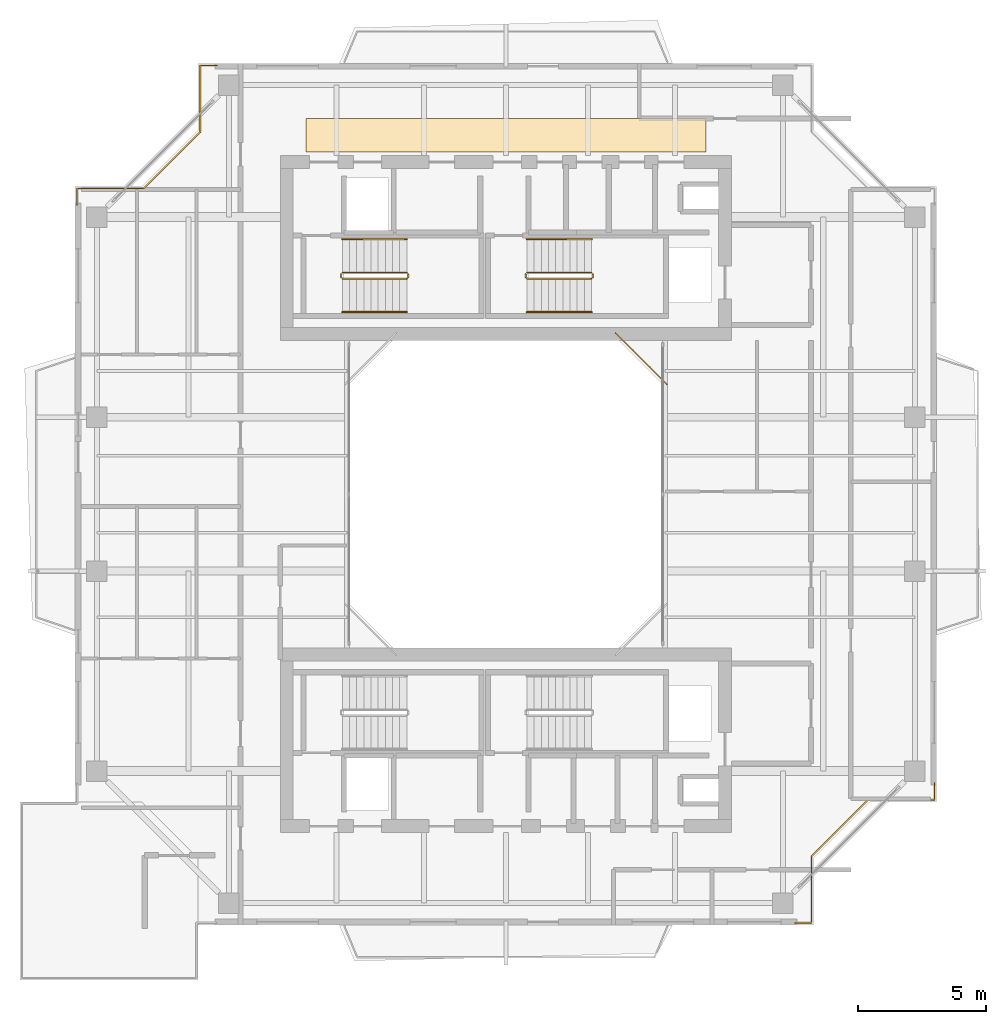
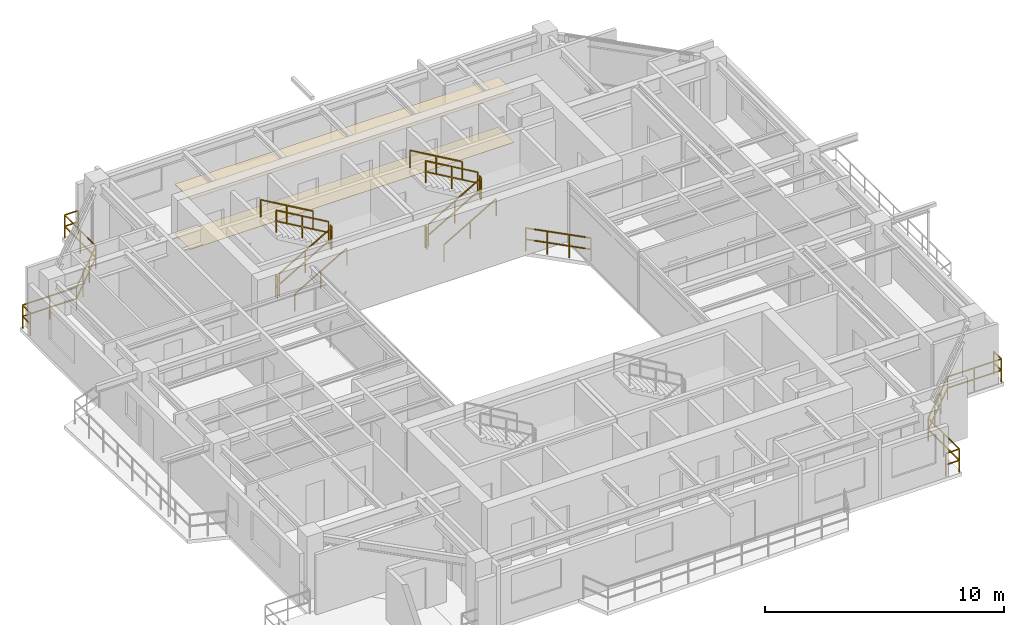
# One storey, part 14 of 15: 15 railings, 2 coverings.
"""IFC4 building model written with IfcOpenShell, lengths in metres."""

import ifcopenshell
import ifcopenshell.guid

model = None  # the IFC model being written
_history = None  # IfcOwnerHistory: only IFC2X3 demands one
_inside = {}  # id of a spatial element -> (the spatial element, [elements in it])
_under = {}  # id of a project, library or spatial element -> (it, [spatial elements below it])
_declared = {}  # id of a project -> (the project, [libraries it declares])
_typed = {}  # id of a type object -> (the type object, [elements of that type])
_made_of = {}  # id of a material, layer set ... -> (it, [elements and type objects made of it])


def new_model(schema):
    """Start an empty IFC model of exactly this schema.

    Asked for "IFC4X3", IfcOpenShell would pick the latest addendum, in which some entities
    have other attributes; the version numbers below select the first issue.
    IFC2X3 requires an IfcOwnerHistory on every rooted entity: one is made here for all.
    """
    global model, _history
    if schema == "IFC4X3":
        model = ifcopenshell.file(schema_version=(4, 3, 0, 0))
    else:
        model = ifcopenshell.file(schema=schema)
    _inside.clear()
    _under.clear()
    _declared.clear()
    _typed.clear()
    _made_of.clear()
    _history = None
    if model.schema == "IFC2X3":
        org = make("IfcOrganization", Name="unknown")
        user = make(
            "IfcPersonAndOrganization",
            ThePerson=make("IfcPerson", FamilyName="unknown"),
            TheOrganization=org,
        )
        app = make(
            "IfcApplication",
            ApplicationDeveloper=org,
            Version="unknown",
            ApplicationFullName="unknown",
            ApplicationIdentifier="unknown",
        )
        _history = make(
            "IfcOwnerHistory",
            OwningUser=user,
            OwningApplication=app,
            ChangeAction="ADDED",
            CreationDate=0,
        )
    return model


def make(cls, **values):
    """One entity of the class cls with the attributes given. An attribute that is None is left unset."""
    return model.create_entity(
        cls, **{name: value for name, value in values.items() if value is not None}
    )


def rooted(cls, **values):
    """An entity with a GlobalId (a new one), such as an element, a storey or a relation."""
    return make(cls, GlobalId=ifcopenshell.guid.new(), OwnerHistory=_history, **values)


def si_unit(unit_type, name, prefix=None):
    """IfcSIUnit, for example si_unit("LENGTHUNIT", "METRE", prefix="MILLI")."""
    return make("IfcSIUnit", UnitType=unit_type, Prefix=prefix, Name=name)


def assignment(units):
    """IfcUnitAssignment: the units of a project."""
    return None if units is None else make("IfcUnitAssignment", Units=units)


def point(xyz):
    """IfcCartesianPoint."""
    return None if xyz is None else make("IfcCartesianPoint", Coordinates=xyz)


def direction(xyz):
    """IfcDirection."""
    return None if xyz is None else make("IfcDirection", DirectionRatios=xyz)


def frame(location, z_axis=None, x_axis=None):
    """IfcAxis2Placement3D, a coordinate frame: its origin and axes. An axis left out is left unset."""
    return make(
        "IfcAxis2Placement3D",
        Location=point(location),
        Axis=direction(z_axis),
        RefDirection=direction(x_axis),
    )


def frame_2d(location, x_axis=None):
    """IfcAxis2Placement2D, a coordinate frame in the plane: its origin and x axis."""
    return make(
        "IfcAxis2Placement2D", Location=point(location), RefDirection=direction(x_axis)
    )


def origin():
    """The frame at (0, 0, 0) with its axes left unset."""
    return frame((0.0, 0.0, 0.0))


def origin_2d():
    """The frame at (0, 0) in the plane with its x axis left unset."""
    return frame_2d((0.0, 0.0))


def place(relative_to, where):
    """IfcLocalPlacement: puts the frame where relative to a parent placement (None: the world)."""
    return make(
        "IfcLocalPlacement", PlacementRelTo=relative_to, RelativePlacement=where
    )


def context(
    kind, dimensions, precision=None, world=None, true_north=None, identifier=None
):
    """IfcGeometricRepresentationContext, for example the 3D "Model" context."""
    return make(
        "IfcGeometricRepresentationContext",
        ContextIdentifier=identifier,
        ContextType=kind,
        CoordinateSpaceDimension=dimensions,
        Precision=precision,
        WorldCoordinateSystem=world,
        TrueNorth=true_north,
    )


def subcontext(parent, identifier, kind, view, scale=None):
    """IfcGeometricRepresentationSubContext, for example "Body" below "Model"."""
    return make(
        "IfcGeometricRepresentationSubContext",
        ContextIdentifier=identifier,
        ContextType=kind,
        ParentContext=parent,
        TargetScale=scale,
        TargetView=view,
    )


def project(units=None, contexts=None):
    """IfcProject with its units and contexts."""
    return rooted(
        "IfcProject",
        Name="project",
        RepresentationContexts=contexts,
        UnitsInContext=assignment(units),
    )


def spatial(cls, under=None, at=None, **own):
    """A site, building, storey or space (cls), placed at a placement, below another one or the project."""
    s = rooted(cls, ObjectPlacement=at, **own)
    if under is not None:
        _under.setdefault(under.id(), (under, []))[1].append(s)
    return s


def polyline(points):
    """IfcPolyline through the points."""
    return make("IfcPolyline", Points=[point(p) for p in points])


def profile(cls, at=None, kind="AREA", **sizes):
    """A parametric profile (cls). Its sizes go by their IFC names, for example OverallWidth=200.0."""
    return make(cls, ProfileType=kind, Position=at, **sizes)


def rectangle(**sizes):
    """IfcRectangleProfileDef."""
    return profile("IfcRectangleProfileDef", **sizes)


def outline(outer, holes=None, kind="AREA"):
    """IfcArbitraryClosedProfileDef: a profile drawn as a closed curve; with holes, ...WithVoids."""
    if holes is None:
        return make("IfcArbitraryClosedProfileDef", ProfileType=kind, OuterCurve=outer)
    return make(
        "IfcArbitraryProfileDefWithVoids",
        ProfileType=kind,
        OuterCurve=outer,
        InnerCurves=holes,
    )


def extrude(swept, where, along, depth):
    """IfcExtrudedAreaSolid: the profile swept, set in the frame where, extruded along a direction by depth."""
    return make(
        "IfcExtrudedAreaSolid",
        SweptArea=swept,
        Position=where,
        ExtrudedDirection=direction(along),
        Depth=depth,
    )


def shape(context_of_items, identifier, shape_type, items):
    """IfcShapeRepresentation: the items that make up one representation, for example the "Body"."""
    return make(
        "IfcShapeRepresentation",
        ContextOfItems=context_of_items,
        RepresentationIdentifier=identifier,
        RepresentationType=shape_type,
        Items=items,
    )


def material(Name=None, Category=None):
    """IfcMaterial."""
    return make("IfcMaterial", Name=Name, Category=Category)


def layer(
    of_material, thickness, ventilated=None, Name=None, Category=None, Priority=None
):
    """IfcMaterialLayer: one layer of a wall or slab, of a material (None: an air gap)."""
    return make(
        "IfcMaterialLayer",
        Material=of_material,
        LayerThickness=thickness,
        IsVentilated=ventilated,
        Name=Name,
        Category=Category,
        Priority=Priority,
    )


def layer_set(layers, Name=None):
    """IfcMaterialLayerSet."""
    return make("IfcMaterialLayerSet", MaterialLayers=layers, LayerSetName=Name)


def made_of(thing, what):
    """Note that an element or type object is made of a material, layer set ...; save() writes the relation."""
    if what is not None:
        _made_of.setdefault(what.id(), (what, []))[1].append(thing)
    return thing


def type_object(cls, material=None, **own):
    """A type object (cls), such as IfcWallType, which elements share."""
    return made_of(rooted(cls, **own), material)


def element(
    cls,
    number,
    at=None,
    inside=None,
    cuts=None,
    type_object=None,
    material=None,
    context=None,
    identifier="Body",
    shape_type=None,
    held_by="IfcProductDefinitionShape",
    body=None,
    shapes=None,
    **own,
):
    """One element of the class cls, such as IfcWall. Its Tag is "e" and its number.

    at: its placement. inside: the storey or other place that contains it. cuts: it is an
    opening in that element (IfcRelVoidsElement). A single representation is given by context,
    identifier, shape_type and body (its items); several are given by shapes. held_by: the class
    of the entity that holds the representations. save() writes the other relations.
    """
    e = rooted(cls, Tag="e%d" % number, ObjectPlacement=at, **own)
    if body is not None:
        shapes = [shape(context, identifier, shape_type, body)]
    if shapes is not None:
        e.Representation = make(held_by, Representations=shapes)
    if inside is not None:
        _inside.setdefault(inside.id(), (inside, []))[1].append(e)
    if cuts is not None:
        rooted(
            "IfcRelVoidsElement", RelatingBuildingElement=cuts, RelatedOpeningElement=e
        )
    if type_object is not None:
        _typed.setdefault(type_object.id(), (type_object, []))[1].append(e)
    return made_of(e, material)


def aggregate(whole, parts):
    """IfcRelAggregates: a whole, such as a stair, and the parts it consists of."""
    return rooted("IfcRelAggregates", RelatingObject=whole, RelatedObjects=parts)


def save(model, path):
    """Write the relations noted so far, then the file.

    IfcRelAggregates (storeys below a building ...), IfcRelContainedInSpatialStructure (elements
    in a storey), IfcRelDefinesByType, IfcRelAssociatesMaterial and IfcRelDeclares: one each for
    every whole, place, type object, material and project.
    """
    for whole, parts in _under.values():
        aggregate(whole, parts)
    for where, things in _inside.values():
        rooted(
            "IfcRelContainedInSpatialStructure",
            RelatedElements=things,
            RelatingStructure=where,
        )
    for kind, things in _typed.values():
        rooted("IfcRelDefinesByType", RelatedObjects=things, RelatingType=kind)
    for what, things in _made_of.values():
        rooted("IfcRelAssociatesMaterial", RelatedObjects=things, RelatingMaterial=what)
    for by, libraries in _declared.values():
        rooted("IfcRelDeclares", RelatingContext=by, RelatedDefinitions=libraries)
    model.write(path)


model = new_model("IFC4")

# Units and contexts
model_context = context("Model", 3, precision=1e-05, world=origin(), true_north=direction((0.0, 1.0)))
body_context = subcontext(model_context, "Body", "Model", "MODEL_VIEW")
ifc_project = project(units=[si_unit("LENGTHUNIT", "METRE"), si_unit("AREAUNIT", "SQUARE_METRE"), si_unit("VOLUMEUNIT", "CUBIC_METRE"), si_unit("PLANEANGLEUNIT", "RADIAN"), si_unit("MASSUNIT", "GRAM", prefix="KILO"), si_unit("THERMODYNAMICTEMPERATUREUNIT", "KELVIN"), si_unit("POWERUNIT", "WATT")], contexts=[model_context])

# Site, building, storey
site_placement = place(None, origin())
site = spatial("IfcSite", under=ifc_project, at=site_placement, CompositionType="ELEMENT")
building_placement = place(site_placement, origin())
building = spatial("IfcBuilding", under=site, at=building_placement, Name="Qiaomeng Ring Towers", CompositionType="ELEMENT")
storey_placement = place(building_placement, frame((0.0, 0.0, 193.75)))
storey = spatial("IfcBuildingStorey", under=building, at=storey_placement, Name="L56", CompositionType="ELEMENT", Elevation=193.75)

# Coverings
ifc_material_1 = material(Name="Mineral fibre acoustic ceiling tile", Category="gypsum")
ifc_layer_1 = layer(ifc_material_1, 0.02490234375, Name="Mineral fibre acoustic ceiling tile")
ifc_layer_set_1 = layer_set([ifc_layer_1], Name="Mineral fibre acoustic ceiling tile")
covering_type_1 = type_object("IfcCoveringType", Name="ARC-COV-CEIL1", PredefinedType="CEILING", material=ifc_layer_set_1)
covering_1_placement = place(storey_placement, frame((0.0, 0.0, 2.550048828125)))
element("IfcCovering", 1, at=covering_1_placement, inside=storey, type_object=covering_type_1, Name="L56 Corridor Acoustic Ceiling", PredefinedType="CEILING", context=body_context, shape_type="SweptSolid", body=[
    extrude(outline(polyline([(11.199951171875, 36.35009765625), (11.199951171875, 37.64990234375), (26.800048828125, 37.64990234375), (26.800048828125, 36.35009765625), (11.199951171875, 36.35009765625)])), origin(), (0.0, 0.0, 1.0), 0.02490234375),
])
ifc_material_2 = material(Name="Vitrified porcelain floor tile", Category="ceramic")
ifc_layer_2 = layer(ifc_material_2, 0.02001953125, Name="Vitrified porcelain floor tile")
ifc_layer_set_2 = layer_set([ifc_layer_2], Name="Vitrified porcelain floor tile")
covering_type_2 = type_object("IfcCoveringType", Name="ARC-COV-FLR1", PredefinedType="FLOORING", material=ifc_layer_set_2)
covering_2_placement = place(storey_placement, origin())
element("IfcCovering", 2, at=covering_2_placement, inside=storey, type_object=covering_type_2, Name="L56 Corridor Stone Flooring", PredefinedType="FLOORING", context=body_context, shape_type="SweptSolid", body=[
    extrude(outline(polyline([(11.199951171875, 36.35009765625), (11.199951171875, 37.64990234375), (26.800048828125, 37.64990234375), (26.800048828125, 36.35009765625), (11.199951171875, 36.35009765625)])), origin(), (0.0, 0.0, 1.0), 0.02001953125),
])

# Railings
ifc_material_3 = material(Name="Low-E pale-green laminated safety glass", Category="glass")
railing_type_1 = type_object("IfcRailingType", Name="ARC-RL-BAL1", PredefinedType="BALUSTRADE", material=ifc_material_3)
railing_1_placement = place(storey_placement, frame((25.280029296875, 27.280029296875, 0.0)))
element("IfcRailing", 3, at=railing_1_placement, inside=storey, type_object=railing_type_1, Name="L56 Balustrade ARC-BAL-WELL1-L56-2", PredefinedType="BALUSTRADE", context=body_context, shape_type="SweptSolid", body=[
    extrude(rectangle(XDim=0.048095703125, YDim=0.048095703125, at=origin_2d()), frame((0.0, 0.0, 1.17578125), z_axis=(-0.707106781187, 0.707106781187, 0.0), x_axis=(-0.707106781187, -0.707106781187, 0.0)), (0.0, 0.0, 1.0), 2.828369140625),
    extrude(rectangle(XDim=0.048095703125, YDim=0.048095703125, at=origin_2d()), frame((0.0, 0.0, 0.60009765625), z_axis=(-0.707106781187, 0.707106781187, 0.0), x_axis=(-0.707106781187, -0.707106781187, 0.0)), (0.0, 0.0, 1.0), 2.828369140625),
    extrude(rectangle(XDim=0.0419921875, YDim=0.0419921875, at=origin_2d()), origin(), (0.0, 0.0, 1.0), 1.15185546875),
    extrude(rectangle(XDim=0.0419921875, YDim=0.0419921875, at=origin_2d()), frame((-0.666748046875, 0.666748046875, 0.0)), (0.0, 0.0, 1.0), 1.15185546875),
    extrude(rectangle(XDim=0.0419921875, YDim=0.0419921875, at=origin_2d()), frame((-1.333251953125, 1.333251953125, 0.0)), (0.0, 0.0, 1.0), 1.15185546875),
    extrude(rectangle(XDim=0.0419921875, YDim=0.0419921875, at=origin_2d()), frame((-2.0, 2.0, 0.0)), (0.0, 0.0, 1.0), 1.15185546875),
])
railing_2_placement = place(storey_placement, frame((30.27001953125, 6.280029296875, 0.0)))
element("IfcRailing", 4, at=railing_2_placement, inside=storey, type_object=railing_type_1, Name="L56 Balustrade ARC-BAL-NOTCH1-L56-SE", PredefinedType="BALUSTRADE", context=body_context, shape_type="SweptSolid", body=[
    extrude(rectangle(XDim=0.048095703125, YDim=0.048095703125, at=origin_2d()), frame((0.0, 0.0, 1.17578125), z_axis=(1.0, 0.0, 0.0), x_axis=(0.0, 1.0, 0.0)), (0.0, 0.0, 1.0), 0.64990234375),
    extrude(rectangle(XDim=0.048095703125, YDim=0.048095703125, at=origin_2d()), frame((0.0, 0.0, 0.60009765625), z_axis=(1.0, 0.0, 0.0), x_axis=(0.0, 1.0, 0.0)), (0.0, 0.0, 1.0), 0.64990234375),
    extrude(rectangle(XDim=0.048095703125, YDim=0.048095703125, at=origin_2d()), frame((0.64990234375, 0.0, 1.17578125), z_axis=(0.0, 1.0, 0.0), x_axis=(-1.0, 0.0, 0.0)), (0.0, 0.0, 1.0), 2.599853515625),
    extrude(rectangle(XDim=0.048095703125, YDim=0.048095703125, at=origin_2d()), frame((0.64990234375, 0.0, 0.60009765625), z_axis=(0.0, 1.0, 0.0), x_axis=(-1.0, 0.0, 0.0)), (0.0, 0.0, 1.0), 2.599853515625),
    extrude(rectangle(XDim=0.048095703125, YDim=0.048095703125, at=origin_2d()), frame((0.64990234375, 2.599853515625, 1.17578125), z_axis=(0.707106781187, 0.707106781187, 0.0), x_axis=(-0.707106781187, 0.707106781187, 0.0)), (0.0, 0.0, 1.0), 3.111572265625),
    extrude(rectangle(XDim=0.048095703125, YDim=0.048095703125, at=origin_2d()), frame((0.64990234375, 2.599853515625, 0.60009765625), z_axis=(0.707106781187, 0.707106781187, 0.0), x_axis=(-0.707106781187, 0.707106781187, 0.0)), (0.0, 0.0, 1.0), 3.111572265625),
    extrude(rectangle(XDim=0.048095703125, YDim=0.048095703125, at=origin_2d()), frame((2.85009765625, 4.800048828125, 1.17578125), z_axis=(1.0, 0.0, 0.0), x_axis=(0.0, 1.0, 0.0)), (0.0, 0.0, 1.0), 2.599853515625),
    extrude(rectangle(XDim=0.048095703125, YDim=0.048095703125, at=origin_2d()), frame((2.85009765625, 4.800048828125, 0.60009765625), z_axis=(1.0, 0.0, 0.0), x_axis=(0.0, 1.0, 0.0)), (0.0, 0.0, 1.0), 2.599853515625),
    extrude(rectangle(XDim=0.048095703125, YDim=0.048095703125, at=origin_2d()), frame((5.449951171875, 4.800048828125, 1.17578125), z_axis=(0.0, 1.0, 0.0), x_axis=(-1.0, 0.0, 0.0)), (0.0, 0.0, 1.0), 0.64990234375),
    extrude(rectangle(XDim=0.048095703125, YDim=0.048095703125, at=origin_2d()), frame((5.449951171875, 4.800048828125, 0.60009765625), z_axis=(0.0, 1.0, 0.0), x_axis=(-1.0, 0.0, 0.0)), (0.0, 0.0, 1.0), 0.64990234375),
    extrude(rectangle(XDim=0.0419921875, YDim=0.0419921875, at=origin_2d()), origin(), (0.0, 0.0, 1.0), 1.15185546875),
    extrude(rectangle(XDim=0.0419921875, YDim=0.0419921875, at=origin_2d()), frame((0.64990234375, 0.0, 0.0)), (0.0, 0.0, 1.0), 1.15185546875),
    extrude(rectangle(XDim=0.0419921875, YDim=0.0419921875, at=origin_2d()), frame((0.64990234375, 1.2998046875, 0.0)), (0.0, 0.0, 1.0), 1.15185546875),
    extrude(rectangle(XDim=0.0419921875, YDim=0.0419921875, at=origin_2d()), frame((0.64990234375, 2.599853515625, 0.0)), (0.0, 0.0, 1.0), 1.15185546875),
    extrude(rectangle(XDim=0.0419921875, YDim=0.0419921875, at=origin_2d()), frame((1.38330078125, 3.333251953125, 0.0)), (0.0, 0.0, 1.0), 1.15185546875),
    extrude(rectangle(XDim=0.0419921875, YDim=0.0419921875, at=origin_2d()), frame((2.11669921875, 4.066650390625, 0.0)), (0.0, 0.0, 1.0), 1.15185546875),
    extrude(rectangle(XDim=0.0419921875, YDim=0.0419921875, at=origin_2d()), frame((2.85009765625, 4.800048828125, 0.0)), (0.0, 0.0, 1.0), 1.15185546875),
    extrude(rectangle(XDim=0.0419921875, YDim=0.0419921875, at=origin_2d()), frame((4.14990234375, 4.800048828125, 0.0)), (0.0, 0.0, 1.0), 1.15185546875),
    extrude(rectangle(XDim=0.0419921875, YDim=0.0419921875, at=origin_2d()), frame((5.449951171875, 4.800048828125, 0.0)), (0.0, 0.0, 1.0), 1.15185546875),
    extrude(rectangle(XDim=0.0419921875, YDim=0.0419921875, at=origin_2d()), frame((5.449951171875, 5.449951171875, 0.0)), (0.0, 0.0, 1.0), 1.15185546875),
])
railing_3_placement = place(storey_placement, frame((7.72998046875, 39.719970703125, 0.0)))
element("IfcRailing", 5, at=railing_3_placement, inside=storey, type_object=railing_type_1, Name="L56 Balustrade ARC-BAL-NOTCH1-L56-NW", PredefinedType="BALUSTRADE", context=body_context, shape_type="SweptSolid", body=[
    extrude(rectangle(XDim=0.048095703125, YDim=0.048095703125, at=origin_2d()), frame((0.0, 0.0, 1.17578125), z_axis=(-1.0, 0.0, 0.0), x_axis=(0.0, -1.0, 0.0)), (0.0, 0.0, 1.0), 0.64990234375),
    extrude(rectangle(XDim=0.048095703125, YDim=0.048095703125, at=origin_2d()), frame((0.0, 0.0, 0.60009765625), z_axis=(-1.0, 0.0, 0.0), x_axis=(0.0, -1.0, 0.0)), (0.0, 0.0, 1.0), 0.64990234375),
    extrude(rectangle(XDim=0.048095703125, YDim=0.048095703125, at=origin_2d()), frame((-0.64990234375, 0.0, 1.17578125), z_axis=(0.0, -1.0, 0.0), x_axis=(1.0, 0.0, 0.0)), (0.0, 0.0, 1.0), 2.599853515625),
    extrude(rectangle(XDim=0.048095703125, YDim=0.048095703125, at=origin_2d()), frame((-0.64990234375, 0.0, 0.60009765625), z_axis=(0.0, -1.0, 0.0), x_axis=(1.0, 0.0, 0.0)), (0.0, 0.0, 1.0), 2.599853515625),
    extrude(rectangle(XDim=0.048095703125, YDim=0.048095703125, at=origin_2d()), frame((-0.64990234375, -2.599853515625, 1.17578125), z_axis=(-0.707106781187, -0.707106781187, 0.0), x_axis=(0.707106781187, -0.707106781187, 0.0)), (0.0, 0.0, 1.0), 3.111572265625),
    extrude(rectangle(XDim=0.048095703125, YDim=0.048095703125, at=origin_2d()), frame((-0.64990234375, -2.599853515625, 0.60009765625), z_axis=(-0.707106781187, -0.707106781187, 0.0), x_axis=(0.707106781187, -0.707106781187, 0.0)), (0.0, 0.0, 1.0), 3.111572265625),
    extrude(rectangle(XDim=0.048095703125, YDim=0.048095703125, at=origin_2d()), frame((-2.85009765625, -4.800048828125, 1.17578125), z_axis=(-1.0, 0.0, 0.0), x_axis=(0.0, -1.0, 0.0)), (0.0, 0.0, 1.0), 2.599853515625),
    extrude(rectangle(XDim=0.048095703125, YDim=0.048095703125, at=origin_2d()), frame((-2.85009765625, -4.800048828125, 0.60009765625), z_axis=(-1.0, 0.0, 0.0), x_axis=(0.0, -1.0, 0.0)), (0.0, 0.0, 1.0), 2.599853515625),
    extrude(rectangle(XDim=0.048095703125, YDim=0.048095703125, at=origin_2d()), frame((-5.449951171875, -4.800048828125, 1.17578125), z_axis=(0.0, -1.0, 0.0), x_axis=(1.0, 0.0, 0.0)), (0.0, 0.0, 1.0), 0.64990234375),
    extrude(rectangle(XDim=0.048095703125, YDim=0.048095703125, at=origin_2d()), frame((-5.449951171875, -4.800048828125, 0.60009765625), z_axis=(0.0, -1.0, 0.0), x_axis=(1.0, 0.0, 0.0)), (0.0, 0.0, 1.0), 0.64990234375),
    extrude(rectangle(XDim=0.0419921875, YDim=0.0419921875, at=origin_2d()), origin(), (0.0, 0.0, 1.0), 1.15185546875),
    extrude(rectangle(XDim=0.0419921875, YDim=0.0419921875, at=origin_2d()), frame((-0.64990234375, 0.0, 0.0)), (0.0, 0.0, 1.0), 1.15185546875),
    extrude(rectangle(XDim=0.0419921875, YDim=0.0419921875, at=origin_2d()), frame((-0.64990234375, -1.2998046875, 0.0)), (0.0, 0.0, 1.0), 1.15185546875),
    extrude(rectangle(XDim=0.0419921875, YDim=0.0419921875, at=origin_2d()), frame((-0.64990234375, -2.599853515625, 0.0)), (0.0, 0.0, 1.0), 1.15185546875),
    extrude(rectangle(XDim=0.0419921875, YDim=0.0419921875, at=origin_2d()), frame((-1.38330078125, -3.333251953125, 0.0)), (0.0, 0.0, 1.0), 1.15185546875),
    extrude(rectangle(XDim=0.0419921875, YDim=0.0419921875, at=origin_2d()), frame((-2.11669921875, -4.066650390625, 0.0)), (0.0, 0.0, 1.0), 1.15185546875),
    extrude(rectangle(XDim=0.0419921875, YDim=0.0419921875, at=origin_2d()), frame((-2.85009765625, -4.800048828125, 0.0)), (0.0, 0.0, 1.0), 1.15185546875),
    extrude(rectangle(XDim=0.0419921875, YDim=0.0419921875, at=origin_2d()), frame((-4.14990234375, -4.800048828125, 0.0)), (0.0, 0.0, 1.0), 1.15185546875),
    extrude(rectangle(XDim=0.0419921875, YDim=0.0419921875, at=origin_2d()), frame((-5.449951171875, -4.800048828125, 0.0)), (0.0, 0.0, 1.0), 1.15185546875),
    extrude(rectangle(XDim=0.0419921875, YDim=0.0419921875, at=origin_2d()), frame((-5.449951171875, -5.449951171875, 0.0)), (0.0, 0.0, 1.0), 1.15185546875),
])
ifc_material_4 = material(Name="Galvanised steel", Category="steel")
railing_type_2 = type_object("IfcRailingType", Name="ARC-RL-GUARD", PredefinedType="GUARDRAIL", material=ifc_material_4)
railing_4_placement = place(storey_placement, frame((12.6201171875, 31.39990234375, 0.16259765625)))
element("IfcRailing", 6, at=railing_4_placement, inside=storey, type_object=railing_type_2, Name="L56 ST1 stair guard 1", PredefinedType="GUARDRAIL", context=body_context, shape_type="SweptSolid", body=[
    extrude(rectangle(XDim=0.048095703125, YDim=0.048095703125, at=origin_2d()), frame((0.0, 0.0, 1.1259765625), z_axis=(0.864892226395, 0.0, 0.501957604506), x_axis=(0.0, 1.0, 0.0)), (0.0, 0.0, 1.0), 2.913330078125),
    extrude(rectangle(XDim=0.048095703125, YDim=0.048095703125, at=origin_2d()), frame((0.0, 0.0, 0.574951171875), z_axis=(0.864892226395, 0.0, 0.501957604506), x_axis=(0.0, 1.0, 0.0)), (0.0, 0.0, 1.0), 2.913330078125),
    extrude(rectangle(XDim=0.0419921875, YDim=0.0419921875, at=origin_2d()), origin(), (0.0, 0.0, 1.0), 1.101806640625),
    extrude(rectangle(XDim=0.0419921875, YDim=0.0419921875, at=origin_2d()), frame((1.259765625, 0.0, 0.731201171875)), (0.0, 0.0, 1.0), 1.101806640625),
    extrude(rectangle(XDim=0.0419921875, YDim=0.0419921875, at=origin_2d()), frame((2.519775390625, 0.0, 1.46240234375)), (0.0, 0.0, 1.0), 1.101806640625),
])
railing_5_placement = place(storey_placement, frame((15.18994140625, 31.449951171875, 1.625)))
element("IfcRailing", 7, at=railing_5_placement, inside=storey, type_object=railing_type_2, Name="L56 ST1 stair guard 2", PredefinedType="GUARDRAIL", context=body_context, shape_type="SweptSolid", body=[
    extrude(rectangle(XDim=0.048095703125, YDim=0.048095703125, at=origin_2d()), frame((0.0, 0.0, 1.1259765625), z_axis=(0.0, 1.0, 0.0), x_axis=(-1.0, 0.0, 0.0)), (0.0, 0.0, 1.0), 0.14013671875),
    extrude(rectangle(XDim=0.048095703125, YDim=0.048095703125, at=origin_2d()), frame((0.0, 0.0, 0.574951171875), z_axis=(0.0, 1.0, 0.0), x_axis=(-1.0, 0.0, 0.0)), (0.0, 0.0, 1.0), 0.14013671875),
    extrude(rectangle(XDim=0.0419921875, YDim=0.0419921875, at=origin_2d()), origin(), (0.0, 0.0, 1.0), 1.101806640625),
    extrude(rectangle(XDim=0.0419921875, YDim=0.0419921875, at=origin_2d()), frame((0.0, 0.14013671875, 0.0)), (0.0, 0.0, 1.0), 1.101806640625),
])
railing_6_placement = place(storey_placement, frame((15.139892578125, 31.639892578125, 1.78759765625)))
element("IfcRailing", 8, at=railing_6_placement, inside=storey, type_object=railing_type_2, Name="L56 ST1 stair guard 3", PredefinedType="GUARDRAIL", context=body_context, shape_type="SweptSolid", body=[
    extrude(rectangle(XDim=0.048095703125, YDim=0.048095703125, at=origin_2d()), frame((0.0, 0.0, 1.1259765625), z_axis=(-0.864892226395, 0.0, 0.501957604506), x_axis=(0.0, -1.0, 0.0)), (0.0, 0.0, 1.0), 2.913330078125),
    extrude(rectangle(XDim=0.048095703125, YDim=0.048095703125, at=origin_2d()), frame((0.0, 0.0, 0.574951171875), z_axis=(-0.864892226395, 0.0, 0.501957604506), x_axis=(0.0, -1.0, 0.0)), (0.0, 0.0, 1.0), 2.913330078125),
    extrude(rectangle(XDim=0.0419921875, YDim=0.0419921875, at=origin_2d()), origin(), (0.0, 0.0, 1.0), 1.101806640625),
    extrude(rectangle(XDim=0.0419921875, YDim=0.0419921875, at=origin_2d()), frame((-1.259765625, 0.0, 0.731201171875)), (0.0, 0.0, 1.0), 1.101806640625),
    extrude(rectangle(XDim=0.0419921875, YDim=0.0419921875, at=origin_2d()), frame((-2.519775390625, 0.0, 1.46240234375)), (0.0, 0.0, 1.0), 1.101806640625),
])
railing_7_placement = place(storey_placement, frame((12.570068359375, 31.449951171875, 0.0)))
element("IfcRailing", 9, at=railing_7_placement, inside=storey, type_object=railing_type_2, Name="L56 ST1 stair guard 4", PredefinedType="GUARDRAIL", context=body_context, shape_type="SweptSolid", body=[
    extrude(rectangle(XDim=0.048095703125, YDim=0.048095703125, at=origin_2d()), frame((0.0, 0.0, 1.1259765625), z_axis=(0.0, 1.0, 0.0), x_axis=(-1.0, 0.0, 0.0)), (0.0, 0.0, 1.0), 0.14013671875),
    extrude(rectangle(XDim=0.048095703125, YDim=0.048095703125, at=origin_2d()), frame((0.0, 0.0, 0.574951171875), z_axis=(0.0, 1.0, 0.0), x_axis=(-1.0, 0.0, 0.0)), (0.0, 0.0, 1.0), 0.14013671875),
    extrude(rectangle(XDim=0.0419921875, YDim=0.0419921875, at=origin_2d()), origin(), (0.0, 0.0, 1.0), 1.101806640625),
    extrude(rectangle(XDim=0.0419921875, YDim=0.0419921875, at=origin_2d()), frame((0.0, 0.14013671875, 0.0)), (0.0, 0.0, 1.0), 1.101806640625),
])
railing_8_placement = place(storey_placement, frame((19.820068359375, 31.39990234375, 0.16259765625)))
element("IfcRailing", 10, at=railing_8_placement, inside=storey, type_object=railing_type_2, Name="L56 ST2 stair guard 1", PredefinedType="GUARDRAIL", context=body_context, shape_type="SweptSolid", body=[
    extrude(rectangle(XDim=0.048095703125, YDim=0.048095703125, at=origin_2d()), frame((0.0, 0.0, 1.1259765625), z_axis=(0.864913338283, 0.0, 0.50192122615), x_axis=(0.0, 1.0, 0.0)), (0.0, 0.0, 1.0), 2.91357421875),
    extrude(rectangle(XDim=0.048095703125, YDim=0.048095703125, at=origin_2d()), frame((0.0, 0.0, 0.574951171875), z_axis=(0.864913338283, 0.0, 0.50192122615), x_axis=(0.0, 1.0, 0.0)), (0.0, 0.0, 1.0), 2.91357421875),
    extrude(rectangle(XDim=0.0419921875, YDim=0.0419921875, at=origin_2d()), origin(), (0.0, 0.0, 1.0), 1.101806640625),
    extrude(rectangle(XDim=0.0419921875, YDim=0.0419921875, at=origin_2d()), frame((1.260009765625, 0.0, 0.731201171875)), (0.0, 0.0, 1.0), 1.101806640625),
    extrude(rectangle(XDim=0.0419921875, YDim=0.0419921875, at=origin_2d()), frame((2.52001953125, 0.0, 1.46240234375)), (0.0, 0.0, 1.0), 1.101806640625),
])
railing_9_placement = place(storey_placement, frame((22.389892578125, 31.449951171875, 1.625)))
element("IfcRailing", 11, at=railing_9_placement, inside=storey, type_object=railing_type_2, Name="L56 ST2 stair guard 2", PredefinedType="GUARDRAIL", context=body_context, shape_type="SweptSolid", body=[
    extrude(rectangle(XDim=0.048095703125, YDim=0.048095703125, at=origin_2d()), frame((0.0, 0.0, 1.1259765625), z_axis=(0.0, 1.0, 0.0), x_axis=(-1.0, 0.0, 0.0)), (0.0, 0.0, 1.0), 0.14013671875),
    extrude(rectangle(XDim=0.048095703125, YDim=0.048095703125, at=origin_2d()), frame((0.0, 0.0, 0.574951171875), z_axis=(0.0, 1.0, 0.0), x_axis=(-1.0, 0.0, 0.0)), (0.0, 0.0, 1.0), 0.14013671875),
    extrude(rectangle(XDim=0.0419921875, YDim=0.0419921875, at=origin_2d()), origin(), (0.0, 0.0, 1.0), 1.101806640625),
    extrude(rectangle(XDim=0.0419921875, YDim=0.0419921875, at=origin_2d()), frame((0.0, 0.14013671875, 0.0)), (0.0, 0.0, 1.0), 1.101806640625),
])
railing_10_placement = place(storey_placement, frame((22.340087890625, 31.639892578125, 1.78759765625)))
element("IfcRailing", 12, at=railing_10_placement, inside=storey, type_object=railing_type_2, Name="L56 ST2 stair guard 3", PredefinedType="GUARDRAIL", context=body_context, shape_type="SweptSolid", body=[
    extrude(rectangle(XDim=0.048095703125, YDim=0.048095703125, at=origin_2d()), frame((0.0, 0.0, 1.1259765625), z_axis=(-0.864913338283, 0.0, 0.50192122615), x_axis=(0.0, -1.0, 0.0)), (0.0, 0.0, 1.0), 2.91357421875),
    extrude(rectangle(XDim=0.048095703125, YDim=0.048095703125, at=origin_2d()), frame((0.0, 0.0, 0.574951171875), z_axis=(-0.864913338283, 0.0, 0.50192122615), x_axis=(0.0, -1.0, 0.0)), (0.0, 0.0, 1.0), 2.91357421875),
    extrude(rectangle(XDim=0.0419921875, YDim=0.0419921875, at=origin_2d()), origin(), (0.0, 0.0, 1.0), 1.101806640625),
    extrude(rectangle(XDim=0.0419921875, YDim=0.0419921875, at=origin_2d()), frame((-1.260009765625, 0.0, 0.731201171875)), (0.0, 0.0, 1.0), 1.101806640625),
    extrude(rectangle(XDim=0.0419921875, YDim=0.0419921875, at=origin_2d()), frame((-2.52001953125, 0.0, 1.46240234375)), (0.0, 0.0, 1.0), 1.101806640625),
])
railing_11_placement = place(storey_placement, frame((19.77001953125, 31.449951171875, 0.0)))
element("IfcRailing", 13, at=railing_11_placement, inside=storey, type_object=railing_type_2, Name="L56 ST2 stair guard 4", PredefinedType="GUARDRAIL", context=body_context, shape_type="SweptSolid", body=[
    extrude(rectangle(XDim=0.048095703125, YDim=0.048095703125, at=origin_2d()), frame((0.0, 0.0, 1.1259765625), z_axis=(0.0, 1.0, 0.0), x_axis=(-1.0, 0.0, 0.0)), (0.0, 0.0, 1.0), 0.14013671875),
    extrude(rectangle(XDim=0.048095703125, YDim=0.048095703125, at=origin_2d()), frame((0.0, 0.0, 0.574951171875), z_axis=(0.0, 1.0, 0.0), x_axis=(-1.0, 0.0, 0.0)), (0.0, 0.0, 1.0), 0.14013671875),
    extrude(rectangle(XDim=0.0419921875, YDim=0.0419921875, at=origin_2d()), origin(), (0.0, 0.0, 1.0), 1.101806640625),
    extrude(rectangle(XDim=0.0419921875, YDim=0.0419921875, at=origin_2d()), frame((0.0, 0.14013671875, 0.0)), (0.0, 0.0, 1.0), 1.101806640625),
])
ifc_material_5 = material(Name="Stainless steel 316", Category="steel")
railing_type_3 = type_object("IfcRailingType", Name="ARC-RL-HAND", PredefinedType="HANDRAIL", material=ifc_material_5)
railing_12_placement = place(storey_placement, frame((12.6201171875, 30.10009765625, 0.16259765625)))
element("IfcRailing", 14, at=railing_12_placement, inside=storey, type_object=railing_type_3, Name="L56 ST1 stair handrail 1", PredefinedType="HANDRAIL", context=body_context, shape_type="SweptSolid", body=[
    extrude(rectangle(XDim=0.048095703125, YDim=0.048095703125, at=origin_2d()), frame((0.0, 0.0, 0.8759765625), z_axis=(0.864892226395, 0.0, 0.501957604506), x_axis=(0.0, 1.0, 0.0)), (0.0, 0.0, 1.0), 2.913330078125),
    extrude(rectangle(XDim=0.0419921875, YDim=0.0419921875, at=origin_2d()), origin(), (0.0, 0.0, 1.0), 0.851806640625),
    extrude(rectangle(XDim=0.0419921875, YDim=0.0419921875, at=origin_2d()), frame((1.259765625, 0.0, 0.731201171875)), (0.0, 0.0, 1.0), 0.851806640625),
    extrude(rectangle(XDim=0.0419921875, YDim=0.0419921875, at=origin_2d()), frame((2.519775390625, 0.0, 1.46240234375)), (0.0, 0.0, 1.0), 0.851806640625),
])
railing_13_placement = place(storey_placement, frame((15.139892578125, 32.93994140625, 1.78759765625)))
element("IfcRailing", 15, at=railing_13_placement, inside=storey, type_object=railing_type_3, Name="L56 ST1 stair handrail 2", PredefinedType="HANDRAIL", context=body_context, shape_type="SweptSolid", body=[
    extrude(rectangle(XDim=0.048095703125, YDim=0.048095703125, at=origin_2d()), frame((0.0, 0.0, 0.8759765625), z_axis=(-0.864892226395, 0.0, 0.501957604506), x_axis=(0.0, -1.0, 0.0)), (0.0, 0.0, 1.0), 2.913330078125),
    extrude(rectangle(XDim=0.0419921875, YDim=0.0419921875, at=origin_2d()), origin(), (0.0, 0.0, 1.0), 0.851806640625),
    extrude(rectangle(XDim=0.0419921875, YDim=0.0419921875, at=origin_2d()), frame((-1.259765625, 0.0, 0.731201171875)), (0.0, 0.0, 1.0), 0.851806640625),
    extrude(rectangle(XDim=0.0419921875, YDim=0.0419921875, at=origin_2d()), frame((-2.519775390625, 0.0, 1.46240234375)), (0.0, 0.0, 1.0), 0.851806640625),
])
railing_14_placement = place(storey_placement, frame((19.820068359375, 30.10009765625, 0.16259765625)))
element("IfcRailing", 16, at=railing_14_placement, inside=storey, type_object=railing_type_3, Name="L56 ST2 stair handrail 1", PredefinedType="HANDRAIL", context=body_context, shape_type="SweptSolid", body=[
    extrude(rectangle(XDim=0.048095703125, YDim=0.048095703125, at=origin_2d()), frame((0.0, 0.0, 0.8759765625), z_axis=(0.864913338283, 0.0, 0.50192122615), x_axis=(0.0, 1.0, 0.0)), (0.0, 0.0, 1.0), 2.91357421875),
    extrude(rectangle(XDim=0.0419921875, YDim=0.0419921875, at=origin_2d()), origin(), (0.0, 0.0, 1.0), 0.851806640625),
    extrude(rectangle(XDim=0.0419921875, YDim=0.0419921875, at=origin_2d()), frame((1.260009765625, 0.0, 0.731201171875)), (0.0, 0.0, 1.0), 0.851806640625),
    extrude(rectangle(XDim=0.0419921875, YDim=0.0419921875, at=origin_2d()), frame((2.52001953125, 0.0, 1.46240234375)), (0.0, 0.0, 1.0), 0.851806640625),
])
railing_15_placement = place(storey_placement, frame((22.340087890625, 32.93994140625, 1.78759765625)))
element("IfcRailing", 17, at=railing_15_placement, inside=storey, type_object=railing_type_3, Name="L56 ST2 stair handrail 2", PredefinedType="HANDRAIL", context=body_context, shape_type="SweptSolid", body=[
    extrude(rectangle(XDim=0.048095703125, YDim=0.048095703125, at=origin_2d()), frame((0.0, 0.0, 0.8759765625), z_axis=(-0.864913338283, 0.0, 0.50192122615), x_axis=(0.0, -1.0, 0.0)), (0.0, 0.0, 1.0), 2.91357421875),
    extrude(rectangle(XDim=0.0419921875, YDim=0.0419921875, at=origin_2d()), origin(), (0.0, 0.0, 1.0), 0.851806640625),
    extrude(rectangle(XDim=0.0419921875, YDim=0.0419921875, at=origin_2d()), frame((-1.260009765625, 0.0, 0.731201171875)), (0.0, 0.0, 1.0), 0.851806640625),
    extrude(rectangle(XDim=0.0419921875, YDim=0.0419921875, at=origin_2d()), frame((-2.52001953125, 0.0, 1.46240234375)), (0.0, 0.0, 1.0), 0.851806640625),
])

save(model, "model.ifc")
